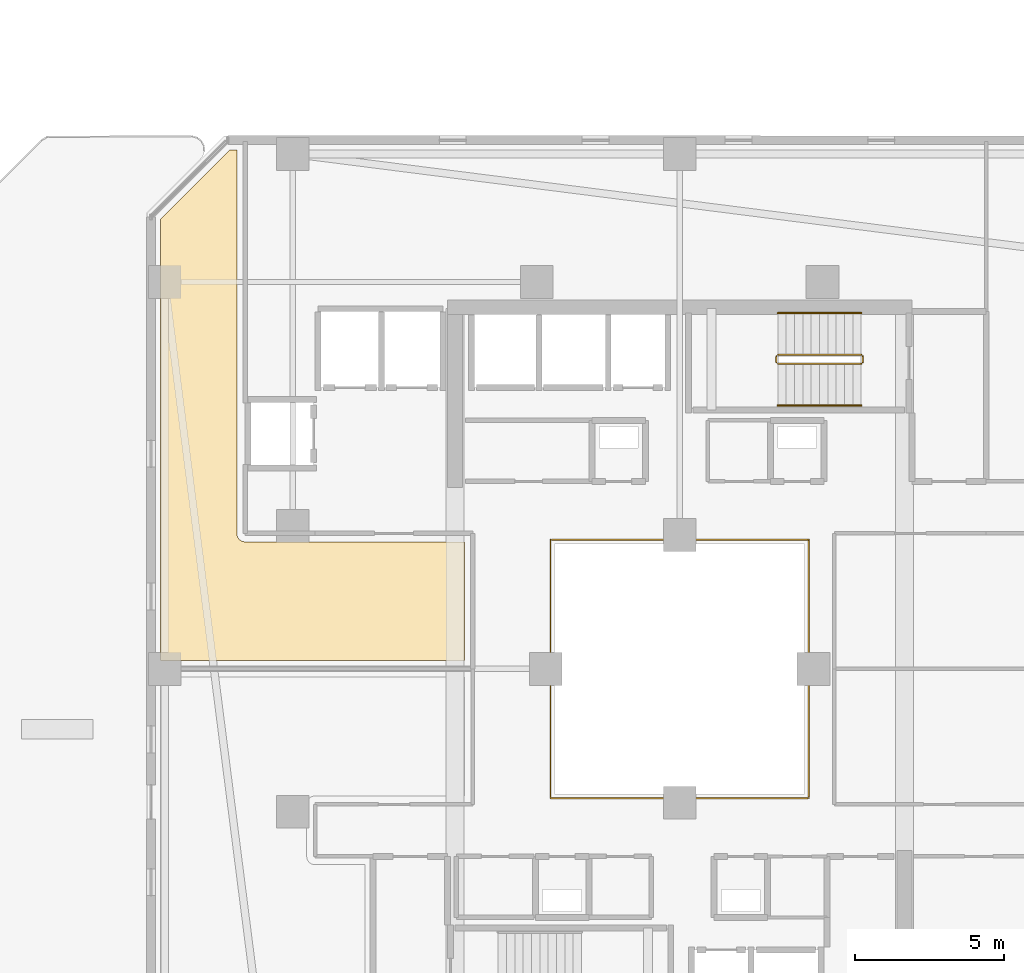
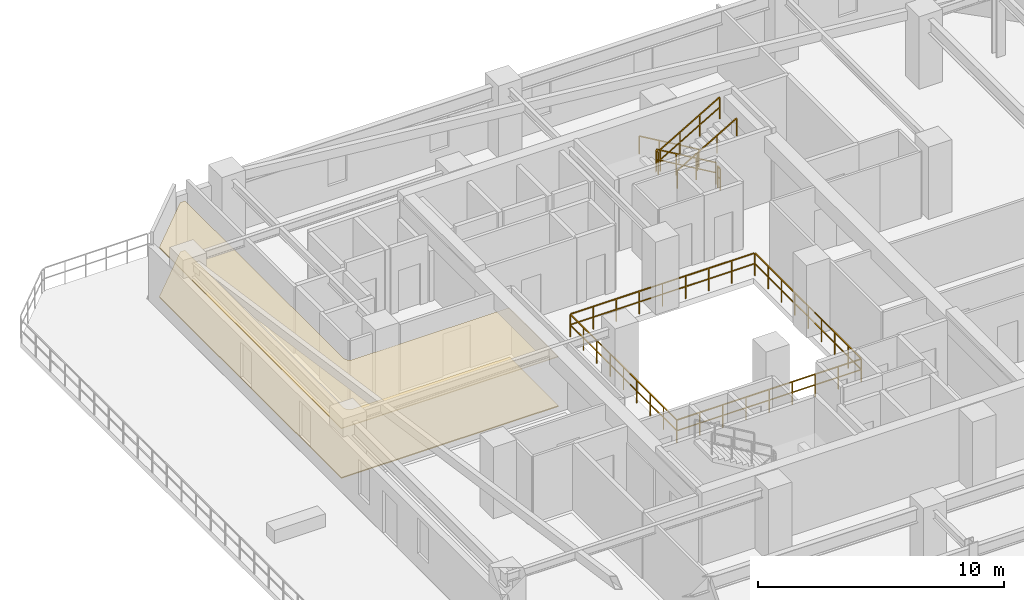
# One storey, part 28 of 30: 7 railings, 2 coverings.
"""IFC4 building model written with IfcOpenShell, lengths in metres."""

import ifcopenshell
import ifcopenshell.guid

model = None  # the IFC model being written
_history = None  # IfcOwnerHistory: only IFC2X3 demands one
_inside = {}  # id of a spatial element -> (the spatial element, [elements in it])
_under = {}  # id of a project, library or spatial element -> (it, [spatial elements below it])
_declared = {}  # id of a project -> (the project, [libraries it declares])
_typed = {}  # id of a type object -> (the type object, [elements of that type])
_made_of = {}  # id of a material, layer set ... -> (it, [elements and type objects made of it])


def new_model(schema):
    """Start an empty IFC model of exactly this schema.

    Asked for "IFC4X3", IfcOpenShell would pick the latest addendum, in which some entities
    have other attributes; the version numbers below select the first issue.
    IFC2X3 requires an IfcOwnerHistory on every rooted entity: one is made here for all.
    """
    global model, _history
    if schema == "IFC4X3":
        model = ifcopenshell.file(schema_version=(4, 3, 0, 0))
    else:
        model = ifcopenshell.file(schema=schema)
    _inside.clear()
    _under.clear()
    _declared.clear()
    _typed.clear()
    _made_of.clear()
    _history = None
    if model.schema == "IFC2X3":
        org = make("IfcOrganization", Name="unknown")
        user = make(
            "IfcPersonAndOrganization",
            ThePerson=make("IfcPerson", FamilyName="unknown"),
            TheOrganization=org,
        )
        app = make(
            "IfcApplication",
            ApplicationDeveloper=org,
            Version="unknown",
            ApplicationFullName="unknown",
            ApplicationIdentifier="unknown",
        )
        _history = make(
            "IfcOwnerHistory",
            OwningUser=user,
            OwningApplication=app,
            ChangeAction="ADDED",
            CreationDate=0,
        )
    return model


def make(cls, **values):
    """One entity of the class cls with the attributes given. An attribute that is None is left unset."""
    return model.create_entity(
        cls, **{name: value for name, value in values.items() if value is not None}
    )


def rooted(cls, **values):
    """An entity with a GlobalId (a new one), such as an element, a storey or a relation."""
    return make(cls, GlobalId=ifcopenshell.guid.new(), OwnerHistory=_history, **values)


def si_unit(unit_type, name, prefix=None):
    """IfcSIUnit, for example si_unit("LENGTHUNIT", "METRE", prefix="MILLI")."""
    return make("IfcSIUnit", UnitType=unit_type, Prefix=prefix, Name=name)


def assignment(units):
    """IfcUnitAssignment: the units of a project."""
    return None if units is None else make("IfcUnitAssignment", Units=units)


def point(xyz):
    """IfcCartesianPoint."""
    return None if xyz is None else make("IfcCartesianPoint", Coordinates=xyz)


def direction(xyz):
    """IfcDirection."""
    return None if xyz is None else make("IfcDirection", DirectionRatios=xyz)


def frame(location, z_axis=None, x_axis=None):
    """IfcAxis2Placement3D, a coordinate frame: its origin and axes. An axis left out is left unset."""
    return make(
        "IfcAxis2Placement3D",
        Location=point(location),
        Axis=direction(z_axis),
        RefDirection=direction(x_axis),
    )


def frame_2d(location, x_axis=None):
    """IfcAxis2Placement2D, a coordinate frame in the plane: its origin and x axis."""
    return make(
        "IfcAxis2Placement2D", Location=point(location), RefDirection=direction(x_axis)
    )


def origin():
    """The frame at (0, 0, 0) with its axes left unset."""
    return frame((0.0, 0.0, 0.0))


def origin_2d():
    """The frame at (0, 0) in the plane with its x axis left unset."""
    return frame_2d((0.0, 0.0))


def place(relative_to, where):
    """IfcLocalPlacement: puts the frame where relative to a parent placement (None: the world)."""
    return make(
        "IfcLocalPlacement", PlacementRelTo=relative_to, RelativePlacement=where
    )


def context(
    kind, dimensions, precision=None, world=None, true_north=None, identifier=None
):
    """IfcGeometricRepresentationContext, for example the 3D "Model" context."""
    return make(
        "IfcGeometricRepresentationContext",
        ContextIdentifier=identifier,
        ContextType=kind,
        CoordinateSpaceDimension=dimensions,
        Precision=precision,
        WorldCoordinateSystem=world,
        TrueNorth=true_north,
    )


def subcontext(parent, identifier, kind, view, scale=None):
    """IfcGeometricRepresentationSubContext, for example "Body" below "Model"."""
    return make(
        "IfcGeometricRepresentationSubContext",
        ContextIdentifier=identifier,
        ContextType=kind,
        ParentContext=parent,
        TargetScale=scale,
        TargetView=view,
    )


def project(units=None, contexts=None):
    """IfcProject with its units and contexts."""
    return rooted(
        "IfcProject",
        Name="project",
        RepresentationContexts=contexts,
        UnitsInContext=assignment(units),
    )


def spatial(cls, under=None, at=None, **own):
    """A site, building, storey or space (cls), placed at a placement, below another one or the project."""
    s = rooted(cls, ObjectPlacement=at, **own)
    if under is not None:
        _under.setdefault(under.id(), (under, []))[1].append(s)
    return s


def polyline(points):
    """IfcPolyline through the points."""
    return make("IfcPolyline", Points=[point(p) for p in points])


def profile(cls, at=None, kind="AREA", **sizes):
    """A parametric profile (cls). Its sizes go by their IFC names, for example OverallWidth=200.0."""
    return make(cls, ProfileType=kind, Position=at, **sizes)


def rectangle(**sizes):
    """IfcRectangleProfileDef."""
    return profile("IfcRectangleProfileDef", **sizes)


def outline(outer, holes=None, kind="AREA"):
    """IfcArbitraryClosedProfileDef: a profile drawn as a closed curve; with holes, ...WithVoids."""
    if holes is None:
        return make("IfcArbitraryClosedProfileDef", ProfileType=kind, OuterCurve=outer)
    return make(
        "IfcArbitraryProfileDefWithVoids",
        ProfileType=kind,
        OuterCurve=outer,
        InnerCurves=holes,
    )


def extrude(swept, where, along, depth):
    """IfcExtrudedAreaSolid: the profile swept, set in the frame where, extruded along a direction by depth."""
    return make(
        "IfcExtrudedAreaSolid",
        SweptArea=swept,
        Position=where,
        ExtrudedDirection=direction(along),
        Depth=depth,
    )


def shape(context_of_items, identifier, shape_type, items):
    """IfcShapeRepresentation: the items that make up one representation, for example the "Body"."""
    return make(
        "IfcShapeRepresentation",
        ContextOfItems=context_of_items,
        RepresentationIdentifier=identifier,
        RepresentationType=shape_type,
        Items=items,
    )


def material(Name=None, Category=None):
    """IfcMaterial."""
    return make("IfcMaterial", Name=Name, Category=Category)


def layer(
    of_material, thickness, ventilated=None, Name=None, Category=None, Priority=None
):
    """IfcMaterialLayer: one layer of a wall or slab, of a material (None: an air gap)."""
    return make(
        "IfcMaterialLayer",
        Material=of_material,
        LayerThickness=thickness,
        IsVentilated=ventilated,
        Name=Name,
        Category=Category,
        Priority=Priority,
    )


def layer_set(layers, Name=None):
    """IfcMaterialLayerSet."""
    return make("IfcMaterialLayerSet", MaterialLayers=layers, LayerSetName=Name)


def made_of(thing, what):
    """Note that an element or type object is made of a material, layer set ...; save() writes the relation."""
    if what is not None:
        _made_of.setdefault(what.id(), (what, []))[1].append(thing)
    return thing


def type_object(cls, material=None, **own):
    """A type object (cls), such as IfcWallType, which elements share."""
    return made_of(rooted(cls, **own), material)


def element(
    cls,
    number,
    at=None,
    inside=None,
    cuts=None,
    type_object=None,
    material=None,
    context=None,
    identifier="Body",
    shape_type=None,
    held_by="IfcProductDefinitionShape",
    body=None,
    shapes=None,
    **own,
):
    """One element of the class cls, such as IfcWall. Its Tag is "e" and its number.

    at: its placement. inside: the storey or other place that contains it. cuts: it is an
    opening in that element (IfcRelVoidsElement). A single representation is given by context,
    identifier, shape_type and body (its items); several are given by shapes. held_by: the class
    of the entity that holds the representations. save() writes the other relations.
    """
    e = rooted(cls, Tag="e%d" % number, ObjectPlacement=at, **own)
    if body is not None:
        shapes = [shape(context, identifier, shape_type, body)]
    if shapes is not None:
        e.Representation = make(held_by, Representations=shapes)
    if inside is not None:
        _inside.setdefault(inside.id(), (inside, []))[1].append(e)
    if cuts is not None:
        rooted(
            "IfcRelVoidsElement", RelatingBuildingElement=cuts, RelatedOpeningElement=e
        )
    if type_object is not None:
        _typed.setdefault(type_object.id(), (type_object, []))[1].append(e)
    return made_of(e, material)


def aggregate(whole, parts):
    """IfcRelAggregates: a whole, such as a stair, and the parts it consists of."""
    return rooted("IfcRelAggregates", RelatingObject=whole, RelatedObjects=parts)


def save(model, path):
    """Write the relations noted so far, then the file.

    IfcRelAggregates (storeys below a building ...), IfcRelContainedInSpatialStructure (elements
    in a storey), IfcRelDefinesByType, IfcRelAssociatesMaterial and IfcRelDeclares: one each for
    every whole, place, type object, material and project.
    """
    for whole, parts in _under.values():
        aggregate(whole, parts)
    for where, things in _inside.values():
        rooted(
            "IfcRelContainedInSpatialStructure",
            RelatedElements=things,
            RelatingStructure=where,
        )
    for kind, things in _typed.values():
        rooted("IfcRelDefinesByType", RelatedObjects=things, RelatingType=kind)
    for what, things in _made_of.values():
        rooted("IfcRelAssociatesMaterial", RelatedObjects=things, RelatingMaterial=what)
    for by, libraries in _declared.values():
        rooted("IfcRelDeclares", RelatingContext=by, RelatedDefinitions=libraries)
    model.write(path)


model = new_model("IFC4")

# Units and contexts
model_context = context("Model", 3, precision=1e-05, world=origin(), true_north=direction((0.0, 1.0)))
body_context = subcontext(model_context, "Body", "Model", "MODEL_VIEW")
ifc_project = project(units=[si_unit("LENGTHUNIT", "METRE"), si_unit("AREAUNIT", "SQUARE_METRE"), si_unit("VOLUMEUNIT", "CUBIC_METRE"), si_unit("PLANEANGLEUNIT", "RADIAN"), si_unit("MASSUNIT", "GRAM", prefix="KILO")], contexts=[model_context])

# Site, building, storey
site_placement = place(None, origin())
site = spatial("IfcSite", under=ifc_project, at=site_placement, CompositionType="ELEMENT")
building_placement = place(site_placement, origin())
building = spatial("IfcBuilding", under=site, at=building_placement, Name="Thornwick Lancets Civic Towers", CompositionType="ELEMENT")
storey_placement = place(building_placement, frame((0.0, 0.0, 149.10009765625)))
storey = spatial("IfcBuildingStorey", under=building, at=storey_placement, Name="L39", CompositionType="ELEMENT", Elevation=149.10009765625)

# Coverings
ifc_material_1 = material(Name="Perforated mineral acoustic ceiling tile")
ifc_layer_1 = layer(ifc_material_1, 0.0400390625, Name="Perforated mineral acoustic ceiling tile")
ifc_layer_set_1 = layer_set([ifc_layer_1], Name="Perforated mineral acoustic ceiling tile")
covering_type_1 = type_object("IfcCoveringType", Name="COV_CEIL_ACOUSTIC", PredefinedType="CEILING", material=ifc_layer_set_1)
covering_1_placement = place(storey_placement, frame((0.0, 0.0, 2.46484375)))
element("IfcCovering", 1, at=covering_1_placement, inside=storey, type_object=covering_type_1, Name="L39 Tower A Policy Briefing Room W2 Ceiling", PredefinedType="CEILING", context=body_context, shape_type="SweptSolid", body=[
    extrude(outline(polyline([(18.27001953125, 31.27001953125), (18.27001953125, 27.280029296875), (8.06005859375, 27.280029296875), (8.06005859375, 42.109375), (10.390625, 44.43994140625), (10.6201171875, 44.43994140625), (10.6201171875, 31.550048828125), (10.621337890625, 31.522705078125), (10.62548828125, 31.495361328125), (10.632080078125, 31.46875), (10.641357421875, 31.44287109375), (10.653076171875, 31.41796875), (10.667236328125, 31.394287109375), (10.68359375, 31.372314453125), (10.701904296875, 31.35205078125), (10.722412109375, 31.33349609375), (10.744384765625, 31.317138671875), (10.76806640625, 31.302978515625), (10.792724609375, 31.291259765625), (10.818603515625, 31.281982421875), (10.845458984375, 31.275390625), (10.87255859375, 31.271240234375), (10.89990234375, 31.27001953125), (18.27001953125, 31.27001953125)])), origin(), (0.0, 0.0, 1.0), 0.0400390625),
])
ifc_material_2 = material(Name="Calcium-sulfate raised access floor panel")
ifc_layer_2 = layer(ifc_material_2, 0.050048828125, Name="Calcium-sulfate raised access floor panel")
ifc_layer_set_2 = layer_set([ifc_layer_2], Name="Calcium-sulfate raised access floor panel")
covering_type_2 = type_object("IfcCoveringType", Name="COV_FLOOR_RAISED", PredefinedType="FLOORING", material=ifc_layer_set_2)
covering_2_placement = place(storey_placement, origin())
element("IfcCovering", 2, at=covering_2_placement, inside=storey, type_object=covering_type_2, Name="L39 Tower A Policy Briefing Room W2 Raised Access Flooring", PredefinedType="FLOORING", context=body_context, shape_type="SweptSolid", body=[
    extrude(outline(polyline([(18.27001953125, 31.27001953125), (18.27001953125, 27.280029296875), (8.06005859375, 27.280029296875), (8.06005859375, 42.109375), (10.390625, 44.43994140625), (10.6201171875, 44.43994140625), (10.6201171875, 31.550048828125), (10.621337890625, 31.522705078125), (10.62548828125, 31.495361328125), (10.632080078125, 31.46875), (10.641357421875, 31.44287109375), (10.653076171875, 31.41796875), (10.667236328125, 31.394287109375), (10.68359375, 31.372314453125), (10.701904296875, 31.35205078125), (10.722412109375, 31.33349609375), (10.744384765625, 31.317138671875), (10.76806640625, 31.302978515625), (10.792724609375, 31.291259765625), (10.818603515625, 31.281982421875), (10.845458984375, 31.275390625), (10.87255859375, 31.271240234375), (10.89990234375, 31.27001953125), (18.27001953125, 31.27001953125)])), origin(), (0.0, 0.0, 1.0), 0.0498046875),
])

# Railings
ifc_material_3 = material(Name="Laminated glass and bronze steel S355", Category="steel")
railing_type_1 = type_object("IfcRailingType", Name="RAIL_ATRIUM_GUARD", PredefinedType="BALUSTRADE", material=ifc_material_3)
railing_1_placement = place(storey_placement, frame((21.159912109375, 22.659912109375, 0.0)))
element("IfcRailing", 3, at=railing_1_placement, inside=storey, type_object=railing_type_1, Name="L39 Tower A Central Atrium Guard Balustrade", PredefinedType="BALUSTRADE", context=body_context, shape_type="SweptSolid", body=[
    extrude(rectangle(XDim=0.048095703125, YDim=0.048095703125, at=origin_2d()), frame((0.0, 0.0, 1.1259765625), z_axis=(1.0, 0.0, 0.0), x_axis=(0.0, 1.0, 0.0)), (0.0, 0.0, 1.0), 8.64892578125),
    extrude(rectangle(XDim=0.0419921875, YDim=0.0419921875, at=origin_2d()), frame((0.03759765625, 0.0, 0.597900390625), z_axis=(1.0, 0.0, 0.0), x_axis=(0.0, 1.0, 0.0)), (0.0, 0.0, 1.0), 1.010009765625),
    extrude(rectangle(XDim=0.0419921875, YDim=0.0419921875, at=origin_2d()), frame((1.12255859375, 0.0, 0.597900390625), z_axis=(1.0, 0.0, 0.0), x_axis=(0.0, 1.0, 0.0)), (0.0, 0.0, 1.0), 1.010009765625),
    extrude(rectangle(XDim=0.0419921875, YDim=0.0419921875, at=origin_2d()), frame((2.20751953125, 0.0, 0.597900390625), z_axis=(1.0, 0.0, 0.0), x_axis=(0.0, 1.0, 0.0)), (0.0, 0.0, 1.0), 1.010009765625),
    extrude(rectangle(XDim=0.0419921875, YDim=0.0419921875, at=origin_2d()), frame((3.29248046875, 0.0, 0.597900390625), z_axis=(1.0, 0.0, 0.0), x_axis=(0.0, 1.0, 0.0)), (0.0, 0.0, 1.0), 1.010009765625),
    extrude(rectangle(XDim=0.0419921875, YDim=0.0419921875, at=origin_2d()), frame((4.377685546875, 0.0, 0.597900390625), z_axis=(1.0, 0.0, 0.0), x_axis=(0.0, 1.0, 0.0)), (0.0, 0.0, 1.0), 1.010009765625),
    extrude(rectangle(XDim=0.0419921875, YDim=0.0419921875, at=origin_2d()), frame((5.462646484375, 0.0, 0.597900390625), z_axis=(1.0, 0.0, 0.0), x_axis=(0.0, 1.0, 0.0)), (0.0, 0.0, 1.0), 1.010009765625),
    extrude(rectangle(XDim=0.0419921875, YDim=0.0419921875, at=origin_2d()), frame((6.547607421875, 0.0, 0.597900390625), z_axis=(1.0, 0.0, 0.0), x_axis=(0.0, 1.0, 0.0)), (0.0, 0.0, 1.0), 1.010009765625),
    extrude(rectangle(XDim=0.0419921875, YDim=0.0419921875, at=origin_2d()), frame((7.632568359375, 0.0, 0.597900390625), z_axis=(1.0, 0.0, 0.0), x_axis=(0.0, 1.0, 0.0)), (0.0, 0.0, 1.0), 1.010009765625),
    extrude(rectangle(XDim=0.048095703125, YDim=0.048095703125, at=origin_2d()), frame((8.68017578125, 0.03125, 1.1259765625), z_axis=(0.0, 1.0, 0.0), x_axis=(-1.0, 0.0, 0.0)), (0.0, 0.0, 1.0), 8.61767578125),
    extrude(rectangle(XDim=0.0419921875, YDim=0.0419921875, at=origin_2d()), frame((8.68017578125, 0.03759765625, 0.597900390625), z_axis=(0.0, 1.0, 0.0), x_axis=(-1.0, 0.0, 0.0)), (0.0, 0.0, 1.0), 1.010009765625),
    extrude(rectangle(XDim=0.0419921875, YDim=0.0419921875, at=origin_2d()), frame((8.68017578125, 1.12255859375, 0.597900390625), z_axis=(0.0, 1.0, 0.0), x_axis=(-1.0, 0.0, 0.0)), (0.0, 0.0, 1.0), 1.010009765625),
    extrude(rectangle(XDim=0.0419921875, YDim=0.0419921875, at=origin_2d()), frame((8.68017578125, 2.20751953125, 0.597900390625), z_axis=(0.0, 1.0, 0.0), x_axis=(-1.0, 0.0, 0.0)), (0.0, 0.0, 1.0), 1.010009765625),
    extrude(rectangle(XDim=0.0419921875, YDim=0.0419921875, at=origin_2d()), frame((8.68017578125, 3.29248046875, 0.597900390625), z_axis=(0.0, 1.0, 0.0), x_axis=(-1.0, 0.0, 0.0)), (0.0, 0.0, 1.0), 1.010009765625),
    extrude(rectangle(XDim=0.0419921875, YDim=0.0419921875, at=origin_2d()), frame((8.68017578125, 4.377685546875, 0.597900390625), z_axis=(0.0, 1.0, 0.0), x_axis=(-1.0, 0.0, 0.0)), (0.0, 0.0, 1.0), 1.010009765625),
    extrude(rectangle(XDim=0.0419921875, YDim=0.0419921875, at=origin_2d()), frame((8.68017578125, 5.462646484375, 0.597900390625), z_axis=(0.0, 1.0, 0.0), x_axis=(-1.0, 0.0, 0.0)), (0.0, 0.0, 1.0), 1.010009765625),
    extrude(rectangle(XDim=0.0419921875, YDim=0.0419921875, at=origin_2d()), frame((8.68017578125, 6.547607421875, 0.597900390625), z_axis=(0.0, 1.0, 0.0), x_axis=(-1.0, 0.0, 0.0)), (0.0, 0.0, 1.0), 1.010009765625),
    extrude(rectangle(XDim=0.0419921875, YDim=0.0419921875, at=origin_2d()), frame((8.68017578125, 7.632568359375, 0.597900390625), z_axis=(0.0, 1.0, 0.0), x_axis=(-1.0, 0.0, 0.0)), (0.0, 0.0, 1.0), 1.010009765625),
    extrude(rectangle(XDim=0.048095703125, YDim=0.048095703125, at=origin_2d()), frame((8.64892578125, 8.68017578125, 1.1259765625), z_axis=(-1.0, 0.0, 0.0), x_axis=(0.0, -1.0, 0.0)), (0.0, 0.0, 1.0), 8.61767578125),
    extrude(rectangle(XDim=0.0419921875, YDim=0.0419921875, at=origin_2d()), frame((8.642578125, 8.68017578125, 0.597900390625), z_axis=(-1.0, 0.0, 0.0), x_axis=(0.0, -1.0, 0.0)), (0.0, 0.0, 1.0), 1.010009765625),
    extrude(rectangle(XDim=0.0419921875, YDim=0.0419921875, at=origin_2d()), frame((7.5576171875, 8.68017578125, 0.597900390625), z_axis=(-1.0, 0.0, 0.0), x_axis=(0.0, -1.0, 0.0)), (0.0, 0.0, 1.0), 1.010009765625),
    extrude(rectangle(XDim=0.0419921875, YDim=0.0419921875, at=origin_2d()), frame((6.47265625, 8.68017578125, 0.597900390625), z_axis=(-1.0, 0.0, 0.0), x_axis=(0.0, -1.0, 0.0)), (0.0, 0.0, 1.0), 1.010009765625),
    extrude(rectangle(XDim=0.0419921875, YDim=0.0419921875, at=origin_2d()), frame((5.3876953125, 8.68017578125, 0.597900390625), z_axis=(-1.0, 0.0, 0.0), x_axis=(0.0, -1.0, 0.0)), (0.0, 0.0, 1.0), 1.010009765625),
    extrude(rectangle(XDim=0.0419921875, YDim=0.0419921875, at=origin_2d()), frame((4.302490234375, 8.68017578125, 0.597900390625), z_axis=(-1.0, 0.0, 0.0), x_axis=(0.0, -1.0, 0.0)), (0.0, 0.0, 1.0), 1.010009765625),
    extrude(rectangle(XDim=0.0419921875, YDim=0.0419921875, at=origin_2d()), frame((3.217529296875, 8.68017578125, 0.597900390625), z_axis=(-1.0, 0.0, 0.0), x_axis=(0.0, -1.0, 0.0)), (0.0, 0.0, 1.0), 1.010009765625),
    extrude(rectangle(XDim=0.0419921875, YDim=0.0419921875, at=origin_2d()), frame((2.132568359375, 8.68017578125, 0.597900390625), z_axis=(-1.0, 0.0, 0.0), x_axis=(0.0, -1.0, 0.0)), (0.0, 0.0, 1.0), 1.010009765625),
    extrude(rectangle(XDim=0.0419921875, YDim=0.0419921875, at=origin_2d()), frame((1.047607421875, 8.68017578125, 0.597900390625), z_axis=(-1.0, 0.0, 0.0), x_axis=(0.0, -1.0, 0.0)), (0.0, 0.0, 1.0), 1.010009765625),
    extrude(rectangle(XDim=0.048095703125, YDim=0.048095703125, at=origin_2d()), frame((0.0, 8.64892578125, 1.1259765625), z_axis=(0.0, -1.0, 0.0), x_axis=(1.0, 0.0, 0.0)), (0.0, 0.0, 1.0), 8.64892578125),
    extrude(rectangle(XDim=0.0419921875, YDim=0.0419921875, at=origin_2d()), frame((0.0, 8.642578125, 0.597900390625), z_axis=(0.0, -1.0, 0.0), x_axis=(1.0, 0.0, 0.0)), (0.0, 0.0, 1.0), 1.010009765625),
    extrude(rectangle(XDim=0.0419921875, YDim=0.0419921875, at=origin_2d()), frame((0.0, 7.5576171875, 0.597900390625), z_axis=(0.0, -1.0, 0.0), x_axis=(1.0, 0.0, 0.0)), (0.0, 0.0, 1.0), 1.010009765625),
    extrude(rectangle(XDim=0.0419921875, YDim=0.0419921875, at=origin_2d()), frame((0.0, 6.47265625, 0.597900390625), z_axis=(0.0, -1.0, 0.0), x_axis=(1.0, 0.0, 0.0)), (0.0, 0.0, 1.0), 1.010009765625),
    extrude(rectangle(XDim=0.0419921875, YDim=0.0419921875, at=origin_2d()), frame((0.0, 5.3876953125, 0.597900390625), z_axis=(0.0, -1.0, 0.0), x_axis=(1.0, 0.0, 0.0)), (0.0, 0.0, 1.0), 1.010009765625),
    extrude(rectangle(XDim=0.0419921875, YDim=0.0419921875, at=origin_2d()), frame((0.0, 4.302490234375, 0.597900390625), z_axis=(0.0, -1.0, 0.0), x_axis=(1.0, 0.0, 0.0)), (0.0, 0.0, 1.0), 1.010009765625),
    extrude(rectangle(XDim=0.0419921875, YDim=0.0419921875, at=origin_2d()), frame((0.0, 3.217529296875, 0.597900390625), z_axis=(0.0, -1.0, 0.0), x_axis=(1.0, 0.0, 0.0)), (0.0, 0.0, 1.0), 1.010009765625),
    extrude(rectangle(XDim=0.0419921875, YDim=0.0419921875, at=origin_2d()), frame((0.0, 2.132568359375, 0.597900390625), z_axis=(0.0, -1.0, 0.0), x_axis=(1.0, 0.0, 0.0)), (0.0, 0.0, 1.0), 1.010009765625),
    extrude(rectangle(XDim=0.0419921875, YDim=0.0419921875, at=origin_2d()), frame((0.0, 1.047607421875, 0.597900390625), z_axis=(0.0, -1.0, 0.0), x_axis=(1.0, 0.0, 0.0)), (0.0, 0.0, 1.0), 1.010009765625),
    extrude(rectangle(XDim=0.0419921875, YDim=0.0419921875, at=origin_2d()), origin(), (0.0, 0.0, 1.0), 1.095703125),
    extrude(rectangle(XDim=0.0419921875, YDim=0.0419921875, at=origin_2d()), frame((1.0849609375, 0.0, 0.0)), (0.0, 0.0, 1.0), 1.095703125),
    extrude(rectangle(XDim=0.0419921875, YDim=0.0419921875, at=origin_2d()), frame((2.169921875, 0.0, 0.0)), (0.0, 0.0, 1.0), 1.095703125),
    extrude(rectangle(XDim=0.0419921875, YDim=0.0419921875, at=origin_2d()), frame((3.255126953125, 0.0, 0.0)), (0.0, 0.0, 1.0), 1.095703125),
    extrude(rectangle(XDim=0.0419921875, YDim=0.0419921875, at=origin_2d()), frame((4.340087890625, 0.0, 0.0)), (0.0, 0.0, 1.0), 1.095703125),
    extrude(rectangle(XDim=0.0419921875, YDim=0.0419921875, at=origin_2d()), frame((5.425048828125, 0.0, 0.0)), (0.0, 0.0, 1.0), 1.095703125),
    extrude(rectangle(XDim=0.0419921875, YDim=0.0419921875, at=origin_2d()), frame((6.51025390625, 0.0, 0.0)), (0.0, 0.0, 1.0), 1.095703125),
    extrude(rectangle(XDim=0.0419921875, YDim=0.0419921875, at=origin_2d()), frame((7.59521484375, 0.0, 0.0)), (0.0, 0.0, 1.0), 1.095703125),
    extrude(rectangle(XDim=0.0419921875, YDim=0.0419921875, at=origin_2d()), frame((8.68017578125, 0.0, 0.0)), (0.0, 0.0, 1.0), 1.095703125),
    extrude(rectangle(XDim=0.0419921875, YDim=0.0419921875, at=origin_2d()), frame((8.68017578125, 1.0849609375, 0.0)), (0.0, 0.0, 1.0), 1.095703125),
    extrude(rectangle(XDim=0.0419921875, YDim=0.0419921875, at=origin_2d()), frame((8.68017578125, 2.169921875, 0.0)), (0.0, 0.0, 1.0), 1.095703125),
    extrude(rectangle(XDim=0.0419921875, YDim=0.0419921875, at=origin_2d()), frame((8.68017578125, 3.255126953125, 0.0)), (0.0, 0.0, 1.0), 1.095703125),
    extrude(rectangle(XDim=0.0419921875, YDim=0.0419921875, at=origin_2d()), frame((8.68017578125, 4.340087890625, 0.0)), (0.0, 0.0, 1.0), 1.095703125),
    extrude(rectangle(XDim=0.0419921875, YDim=0.0419921875, at=origin_2d()), frame((8.68017578125, 5.425048828125, 0.0)), (0.0, 0.0, 1.0), 1.095703125),
    extrude(rectangle(XDim=0.0419921875, YDim=0.0419921875, at=origin_2d()), frame((8.68017578125, 6.51025390625, 0.0)), (0.0, 0.0, 1.0), 1.095703125),
    extrude(rectangle(XDim=0.0419921875, YDim=0.0419921875, at=origin_2d()), frame((8.68017578125, 7.59521484375, 0.0)), (0.0, 0.0, 1.0), 1.095703125),
    extrude(rectangle(XDim=0.0419921875, YDim=0.0419921875, at=origin_2d()), frame((8.68017578125, 8.68017578125, 0.0)), (0.0, 0.0, 1.0), 1.095703125),
    extrude(rectangle(XDim=0.0419921875, YDim=0.0419921875, at=origin_2d()), frame((7.59521484375, 8.68017578125, 0.0)), (0.0, 0.0, 1.0), 1.095703125),
    extrude(rectangle(XDim=0.0419921875, YDim=0.0419921875, at=origin_2d()), frame((6.51025390625, 8.68017578125, 0.0)), (0.0, 0.0, 1.0), 1.095703125),
    extrude(rectangle(XDim=0.0419921875, YDim=0.0419921875, at=origin_2d()), frame((5.425048828125, 8.68017578125, 0.0)), (0.0, 0.0, 1.0), 1.095703125),
    extrude(rectangle(XDim=0.0419921875, YDim=0.0419921875, at=origin_2d()), frame((4.340087890625, 8.68017578125, 0.0)), (0.0, 0.0, 1.0), 1.095703125),
    extrude(rectangle(XDim=0.0419921875, YDim=0.0419921875, at=origin_2d()), frame((3.255126953125, 8.68017578125, 0.0)), (0.0, 0.0, 1.0), 1.095703125),
    extrude(rectangle(XDim=0.0419921875, YDim=0.0419921875, at=origin_2d()), frame((2.169921875, 8.68017578125, 0.0)), (0.0, 0.0, 1.0), 1.095703125),
    extrude(rectangle(XDim=0.0419921875, YDim=0.0419921875, at=origin_2d()), frame((1.0849609375, 8.68017578125, 0.0)), (0.0, 0.0, 1.0), 1.095703125),
    extrude(rectangle(XDim=0.0419921875, YDim=0.0419921875, at=origin_2d()), frame((0.0, 8.68017578125, 0.0)), (0.0, 0.0, 1.0), 1.095703125),
    extrude(rectangle(XDim=0.0419921875, YDim=0.0419921875, at=origin_2d()), frame((0.0, 7.59521484375, 0.0)), (0.0, 0.0, 1.0), 1.095703125),
    extrude(rectangle(XDim=0.0419921875, YDim=0.0419921875, at=origin_2d()), frame((0.0, 6.51025390625, 0.0)), (0.0, 0.0, 1.0), 1.095703125),
    extrude(rectangle(XDim=0.0419921875, YDim=0.0419921875, at=origin_2d()), frame((0.0, 5.425048828125, 0.0)), (0.0, 0.0, 1.0), 1.095703125),
    extrude(rectangle(XDim=0.0419921875, YDim=0.0419921875, at=origin_2d()), frame((0.0, 4.340087890625, 0.0)), (0.0, 0.0, 1.0), 1.095703125),
    extrude(rectangle(XDim=0.0419921875, YDim=0.0419921875, at=origin_2d()), frame((0.0, 3.255126953125, 0.0)), (0.0, 0.0, 1.0), 1.095703125),
    extrude(rectangle(XDim=0.0419921875, YDim=0.0419921875, at=origin_2d()), frame((0.0, 2.169921875, 0.0)), (0.0, 0.0, 1.0), 1.095703125),
    extrude(rectangle(XDim=0.0419921875, YDim=0.0419921875, at=origin_2d()), frame((0.0, 1.0849609375, 0.0)), (0.0, 0.0, 1.0), 1.095703125),
])
ifc_material_4 = material(Name="Brushed stainless steel S355", Category="steel")
railing_type_2 = type_object("IfcRailingType", Name="RAIL_HANDRAIL", PredefinedType="HANDRAIL", material=ifc_material_4)
railing_2_placement = place(storey_placement, frame((31.60009765625, 38.949951171875, 0.16357421875)))
element("IfcRailing", 4, at=railing_2_placement, inside=storey, type_object=railing_type_2, Name="L39 ST-A2 stair handrail 1", PredefinedType="HANDRAIL", context=body_context, shape_type="SweptSolid", body=[
    extrude(rectangle(XDim=0.048095703125, YDim=0.048095703125, at=origin_2d()), frame((0.0, 0.0, 0.8857421875), z_axis=(-0.863393664356, 0.0, 0.504530851732), x_axis=(0.0, -1.0, 0.0)), (0.0, 0.0, 1.0), 3.2431640625),
    extrude(rectangle(XDim=0.0419921875, YDim=0.0419921875, at=origin_2d()), origin(), (0.0, 0.0, 1.0), 0.855712890625),
    extrude(rectangle(XDim=0.0419921875, YDim=0.0419921875, at=origin_2d()), frame((-0.933349609375, 0.0, 0.54541015625)), (0.0, 0.0, 1.0), 0.855712890625),
    extrude(rectangle(XDim=0.0419921875, YDim=0.0419921875, at=origin_2d()), frame((-1.86669921875, 0.0, 1.0908203125)), (0.0, 0.0, 1.0), 0.855712890625),
    extrude(rectangle(XDim=0.0419921875, YDim=0.0419921875, at=origin_2d()), frame((-2.800048828125, 0.0, 1.63623046875)), (0.0, 0.0, 1.0), 0.855712890625),
])
railing_3_placement = place(storey_placement, frame((28.800048828125, 35.85009765625, 1.963623046875)))
element("IfcRailing", 5, at=railing_3_placement, inside=storey, type_object=railing_type_2, Name="L39 ST-A2 stair handrail 2", PredefinedType="HANDRAIL", context=body_context, shape_type="SweptSolid", body=[
    extrude(rectangle(XDim=0.048095703125, YDim=0.048095703125, at=origin_2d()), frame((0.0, 0.0, 0.8857421875), z_axis=(0.863393664356, 0.0, 0.504530851732), x_axis=(0.0, 1.0, 0.0)), (0.0, 0.0, 1.0), 3.2431640625),
    extrude(rectangle(XDim=0.0419921875, YDim=0.0419921875, at=origin_2d()), origin(), (0.0, 0.0, 1.0), 0.855712890625),
    extrude(rectangle(XDim=0.0419921875, YDim=0.0419921875, at=origin_2d()), frame((0.933349609375, 0.0, 0.54541015625)), (0.0, 0.0, 1.0), 0.855712890625),
    extrude(rectangle(XDim=0.0419921875, YDim=0.0419921875, at=origin_2d()), frame((1.86669921875, 0.0, 1.0908203125)), (0.0, 0.0, 1.0), 0.855712890625),
    extrude(rectangle(XDim=0.0419921875, YDim=0.0419921875, at=origin_2d()), frame((2.800048828125, 0.0, 1.63623046875)), (0.0, 0.0, 1.0), 0.855712890625),
])
ifc_material_5 = material(Name="Steel S355JR", Category="steel")
railing_type_3 = type_object("IfcRailingType", Name="RAIL_STAIR_GUARD", PredefinedType="GUARDRAIL", material=ifc_material_5)
railing_4_placement = place(storey_placement, frame((31.60009765625, 37.550048828125, 0.16357421875)))
element("IfcRailing", 6, at=railing_4_placement, inside=storey, type_object=railing_type_3, Name="L39 ST-A2 stair guard 1", PredefinedType="GUARDRAIL", context=body_context, shape_type="SweptSolid", body=[
    extrude(rectangle(XDim=0.048095703125, YDim=0.048095703125, at=origin_2d()), frame((0.0, 0.0, 1.076171875), z_axis=(-0.863393664356, 0.0, 0.504530851732), x_axis=(0.0, -1.0, 0.0)), (0.0, 0.0, 1.0), 3.2431640625),
    extrude(rectangle(XDim=0.0419921875, YDim=0.0419921875, at=origin_2d()), frame((-0.032470703125, 0.0, 0.591064453125), z_axis=(-0.863393664356, 0.0, 0.504530851732), x_axis=(0.0, -1.0, 0.0)), (0.0, 0.0, 1.0), 1.006103515625),
    extrude(rectangle(XDim=0.0419921875, YDim=0.0419921875, at=origin_2d()), frame((-0.9658203125, 0.0, 1.136474609375), z_axis=(-0.863393664356, 0.0, 0.504530851732), x_axis=(0.0, -1.0, 0.0)), (0.0, 0.0, 1.0), 1.006103515625),
    extrude(rectangle(XDim=0.0419921875, YDim=0.0419921875, at=origin_2d()), frame((-1.899169921875, 0.0, 1.681884765625), z_axis=(-0.863393664356, 0.0, 0.504530851732), x_axis=(0.0, -1.0, 0.0)), (0.0, 0.0, 1.0), 1.006103515625),
    extrude(rectangle(XDim=0.0419921875, YDim=0.0419921875, at=origin_2d()), origin(), (0.0, 0.0, 1.0), 1.0458984375),
    extrude(rectangle(XDim=0.0419921875, YDim=0.0419921875, at=origin_2d()), frame((-0.933349609375, 0.0, 0.54541015625)), (0.0, 0.0, 1.0), 1.0458984375),
    extrude(rectangle(XDim=0.0419921875, YDim=0.0419921875, at=origin_2d()), frame((-1.86669921875, 0.0, 1.0908203125)), (0.0, 0.0, 1.0), 1.0458984375),
    extrude(rectangle(XDim=0.0419921875, YDim=0.0419921875, at=origin_2d()), frame((-2.800048828125, 0.0, 1.63623046875)), (0.0, 0.0, 1.0), 1.0458984375),
])
railing_5_placement = place(storey_placement, frame((28.75, 37.5, 1.7998046875)))
element("IfcRailing", 7, at=railing_5_placement, inside=storey, type_object=railing_type_3, Name="L39 ST-A2 stair guard 2", PredefinedType="GUARDRAIL", context=body_context, shape_type="SweptSolid", body=[
    extrude(rectangle(XDim=0.048095703125, YDim=0.048095703125, at=origin_2d()), frame((0.0, 0.0, 1.076171875), z_axis=(0.0, -1.0, 0.0), x_axis=(1.0, 0.0, 0.0)), (0.0, 0.0, 1.0), 0.199951171875),
    extrude(rectangle(XDim=0.0419921875, YDim=0.0419921875, at=origin_2d()), frame((0.0, -0.03759765625, 0.572021484375), z_axis=(0.0, -1.0, 0.0), x_axis=(1.0, 0.0, 0.0)), (0.0, 0.0, 1.0), 0.125),
    extrude(rectangle(XDim=0.0419921875, YDim=0.0419921875, at=origin_2d()), origin(), (0.0, 0.0, 1.0), 1.0458984375),
    extrude(rectangle(XDim=0.0419921875, YDim=0.0419921875, at=origin_2d()), frame((0.0, -0.199951171875, 0.0)), (0.0, 0.0, 1.0), 1.0458984375),
])
railing_6_placement = place(storey_placement, frame((28.800048828125, 37.25, 1.963623046875)))
element("IfcRailing", 8, at=railing_6_placement, inside=storey, type_object=railing_type_3, Name="L39 ST-A2 stair guard 3", PredefinedType="GUARDRAIL", context=body_context, shape_type="SweptSolid", body=[
    extrude(rectangle(XDim=0.048095703125, YDim=0.048095703125, at=origin_2d()), frame((0.0, 0.0, 1.076171875), z_axis=(0.863393664356, 0.0, 0.504530851732), x_axis=(0.0, 1.0, 0.0)), (0.0, 0.0, 1.0), 3.2431640625),
    extrude(rectangle(XDim=0.0419921875, YDim=0.0419921875, at=origin_2d()), frame((0.032470703125, 0.0, 0.591064453125), z_axis=(0.863393664356, 0.0, 0.504530851732), x_axis=(0.0, 1.0, 0.0)), (0.0, 0.0, 1.0), 1.006103515625),
    extrude(rectangle(XDim=0.0419921875, YDim=0.0419921875, at=origin_2d()), frame((0.9658203125, 0.0, 1.136474609375), z_axis=(0.863393664356, 0.0, 0.504530851732), x_axis=(0.0, 1.0, 0.0)), (0.0, 0.0, 1.0), 1.006103515625),
    extrude(rectangle(XDim=0.0419921875, YDim=0.0419921875, at=origin_2d()), frame((1.899169921875, 0.0, 1.681884765625), z_axis=(0.863393664356, 0.0, 0.504530851732), x_axis=(0.0, 1.0, 0.0)), (0.0, 0.0, 1.0), 1.006103515625),
    extrude(rectangle(XDim=0.0419921875, YDim=0.0419921875, at=origin_2d()), origin(), (0.0, 0.0, 1.0), 1.0458984375),
    extrude(rectangle(XDim=0.0419921875, YDim=0.0419921875, at=origin_2d()), frame((0.933349609375, 0.0, 0.54541015625)), (0.0, 0.0, 1.0), 1.0458984375),
    extrude(rectangle(XDim=0.0419921875, YDim=0.0419921875, at=origin_2d()), frame((1.86669921875, 0.0, 1.0908203125)), (0.0, 0.0, 1.0), 1.0458984375),
    extrude(rectangle(XDim=0.0419921875, YDim=0.0419921875, at=origin_2d()), frame((2.800048828125, 0.0, 1.63623046875)), (0.0, 0.0, 1.0), 1.0458984375),
])
railing_7_placement = place(storey_placement, frame((31.64990234375, 37.5, 0.0)))
element("IfcRailing", 9, at=railing_7_placement, inside=storey, type_object=railing_type_3, Name="L39 ST-A2 stair guard 4", PredefinedType="GUARDRAIL", context=body_context, shape_type="SweptSolid", body=[
    extrude(rectangle(XDim=0.048095703125, YDim=0.048095703125, at=origin_2d()), frame((0.0, 0.0, 1.076171875), z_axis=(0.0, -1.0, 0.0), x_axis=(1.0, 0.0, 0.0)), (0.0, 0.0, 1.0), 0.199951171875),
    extrude(rectangle(XDim=0.0419921875, YDim=0.0419921875, at=origin_2d()), frame((0.0, -0.03759765625, 0.572021484375), z_axis=(0.0, -1.0, 0.0), x_axis=(1.0, 0.0, 0.0)), (0.0, 0.0, 1.0), 0.125),
    extrude(rectangle(XDim=0.0419921875, YDim=0.0419921875, at=origin_2d()), origin(), (0.0, 0.0, 1.0), 1.0458984375),
    extrude(rectangle(XDim=0.0419921875, YDim=0.0419921875, at=origin_2d()), frame((0.0, -0.199951171875, 0.0)), (0.0, 0.0, 1.0), 1.0458984375),
])

save(model, "model.ifc")
